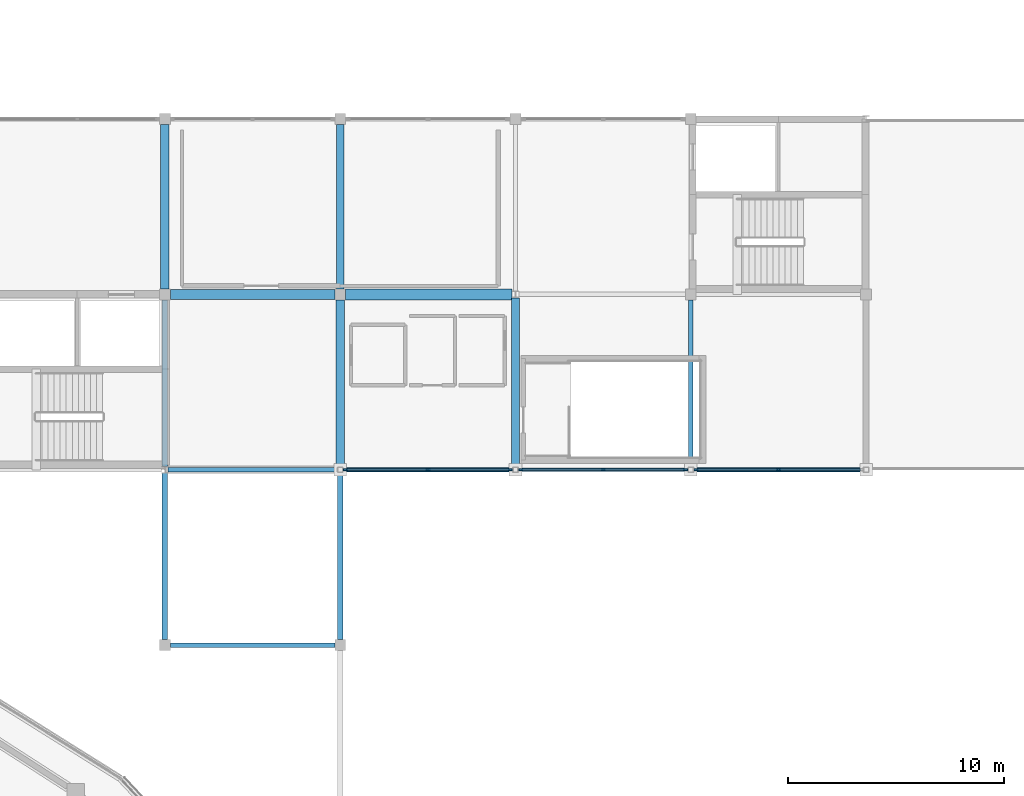
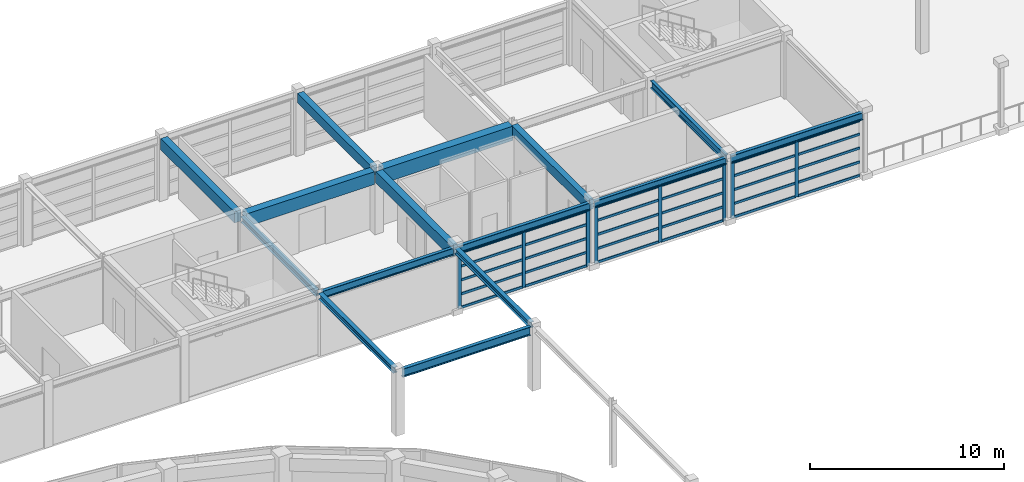
# One storey, part 30 of 54: 38 members, 15 beams, 3 elements without a shape of their own.
"""IFC4 building model written with IfcOpenShell, lengths in metres."""

from ifc_helpers import new_model, si_unit, direction, frame, origin, origin_2d, place, context, subcontext, project, spatial, rectangle, i_section, extrude, material, material_profile, profile_set, type_object, element, aggregate, save


model = new_model("IFC4")

# Units and contexts
model_context = context("Model", 3, precision=1e-05, world=origin(), true_north=direction((0.0, 1.0)))
body_context = subcontext(model_context, "Body", "Model", "MODEL_VIEW")
ifc_project = project(units=[si_unit("LENGTHUNIT", "METRE"), si_unit("AREAUNIT", "SQUARE_METRE"), si_unit("VOLUMEUNIT", "CUBIC_METRE"), si_unit("PLANEANGLEUNIT", "RADIAN"), si_unit("MASSUNIT", "GRAM", prefix="KILO")], contexts=[model_context])

# Site, building, storey
site_placement = place(None, origin())
site = spatial("IfcSite", under=ifc_project, at=site_placement, CompositionType="ELEMENT")
building_placement = place(site_placement, origin())
building = spatial("IfcBuilding", under=site, at=building_placement, Name="Parian Resonance Hall", CompositionType="ELEMENT")
storey_placement = place(building_placement, frame((0.0, 0.0, 15.0)))
storey = spatial("IfcBuildingStorey", under=building, at=storey_placement, Name="L03", CompositionType="ELEMENT", Elevation=15.0)

# Beams
ifc_material_1 = material(Name="Concrete C40/50", Category="concrete")
ifc_material_profile_1 = material_profile(ifc_material_1, rectangle(XDim=0.35009765625, YDim=0.60009765625, at=origin_2d()), Name="RC-BM-350x600")
ifc_profile_set_1 = profile_set([ifc_material_profile_1], Name="Concrete C40/50")
beam_type_1 = type_object("IfcBeamType", Name="BM-RC350x600", PredefinedType="BEAM", material=ifc_profile_set_1)
beam_1_placement = place(storey_placement, frame((72.89990234375, 81.25, 3.659912109375), z_axis=(0.0, 1.0, 0.0), x_axis=(-1.0, 0.0, 0.0)))
element("IfcBeam", 1, at=beam_1_placement, inside=storey, type_object=beam_type_1, Name="GY-L03-0884", PredefinedType="BEAM", context=body_context, shape_type="SweptSolid", body=[
    extrude(rectangle(XDim=0.35009765625, YDim=0.60009765625, at=origin_2d()), origin(), (0.0, 0.0, 1.0), 7.60009765625),
])
beam_2_placement = place(storey_placement, frame((81.0, 73.02490234375, 3.659912109375), z_axis=(0.0, 1.0, 0.0), x_axis=(-1.0, 0.0, 0.0)))
element("IfcBeam", 2, at=beam_2_placement, inside=storey, type_object=beam_type_1, Name="GY-L03-0885", PredefinedType="BEAM", context=body_context, shape_type="SweptSolid", body=[
    extrude(rectangle(XDim=0.35009765625, YDim=0.60009765625, at=origin_2d()), origin(), (0.0, 0.0, 1.0), 7.821044921875),
])
ifc_material_2 = material(Name="Concrete C40/50", Category="concrete")
ifc_material_profile_2 = material_profile(ifc_material_2, rectangle(XDim=0.39990234375, YDim=0.699951171875, at=origin_2d()), Name="RC-BM-400x700")
ifc_profile_set_2 = profile_set([ifc_material_profile_2], Name="Concrete C40/50")
beam_type_2 = type_object("IfcBeamType", Name="BM-RC400x700", PredefinedType="BEAM", material=ifc_profile_set_2)
beam_3_placement = place(storey_placement, frame((64.800048828125, 81.25, 3.610107421875), z_axis=(0.0, 1.0, 0.0), x_axis=(-1.0, 0.0, 0.0)))
element("IfcBeam", 3, at=beam_3_placement, inside=storey, type_object=beam_type_2, Name="GY-L03-0875", PredefinedType="BEAM", context=body_context, shape_type="SweptSolid", body=[
    extrude(rectangle(XDim=0.39990234375, YDim=0.699951171875, at=origin_2d()), origin(), (0.0, 0.0, 1.0), 7.60009765625),
])
beam_4_placement = place(storey_placement, frame((72.89990234375, 73.02490234375, 3.610107421875), z_axis=(0.0, 1.0, 0.0), x_axis=(-1.0, 0.0, 0.0)))
element("IfcBeam", 4, at=beam_4_placement, inside=storey, type_object=beam_type_2, Name="GY-L03-0883", PredefinedType="BEAM", context=body_context, shape_type="SweptSolid", body=[
    extrude(rectangle(XDim=0.39990234375, YDim=0.699951171875, at=origin_2d()), origin(), (0.0, 0.0, 1.0), 7.72509765625),
])
ifc_material_3 = material(Name="Concrete C40/50", Category="concrete")
ifc_material_profile_3 = material_profile(ifc_material_3, rectangle(XDim=0.449951171875, YDim=0.800048828125, at=origin_2d()), Name="RC-BM-450x800")
ifc_profile_set_3 = profile_set([ifc_material_profile_3], Name="Concrete C40/50")
beam_type_3 = type_object("IfcBeamType", Name="BM-RC450x800", PredefinedType="USERDEFINED", material=ifc_profile_set_3)
beam_5_placement = place(storey_placement, frame((65.050048828125, 81.0, 3.56005859375), z_axis=(1.0, 0.0, 0.0), x_axis=(0.0, 1.0, 0.0)))
element("IfcBeam", 5, at=beam_5_placement, inside=storey, type_object=beam_type_3, Name="GX-L03-0829", ObjectType="GIRDER", PredefinedType="USERDEFINED", context=body_context, shape_type="SweptSolid", body=[
    extrude(rectangle(XDim=0.449951171875, YDim=0.800048828125, at=origin_2d()), origin(), (0.0, 0.0, 1.0), 7.599853515625),
])
ifc_material_4 = material(Name="Concrete C40/50", Category="concrete")
ifc_material_profile_4 = material_profile(ifc_material_4, rectangle(XDim=0.5, YDim=0.89990234375, at=origin_2d()), Name="RC-BM-500x900")
ifc_profile_set_4 = profile_set([ifc_material_profile_4], Name="Concrete C40/50")
beam_type_4 = type_object("IfcBeamType", Name="BM-RC500x900", PredefinedType="USERDEFINED", material=ifc_profile_set_4)
beam_6_placement = place(storey_placement, frame((73.14990234375, 81.0, 3.510009765625), z_axis=(1.0, 0.0, 0.0), x_axis=(0.0, 1.0, 0.0)))
element("IfcBeam", 6, at=beam_6_placement, inside=storey, type_object=beam_type_4, Name="GX-L03-0832", ObjectType="GIRDER", PredefinedType="USERDEFINED", context=body_context, shape_type="SweptSolid", body=[
    extrude(rectangle(XDim=0.5, YDim=0.89990234375, at=origin_2d()), origin(), (0.0, 0.0, 1.0), 7.697509765625),
])
ifc_material_5 = material(Name="Steel S355", Category="steel")
ifc_material_profile_5 = material_profile(ifc_material_5, i_section(OverallWidth=0.2548828125, OverallDepth=0.35693359375, WebThickness=0.010498046875, FlangeThickness=0.018310546875, FilletRadius=0.01513671875, at=origin_2d()), Name="W360x101")
ifc_profile_set_5 = profile_set([ifc_material_profile_5], Name="Steel S355")
beam_type_5 = type_object("IfcBeamType", Name="BM-W360x101", PredefinedType="SPANDREL", material=ifc_profile_set_5)
for number, where, z_axis, x_axis, name in (
    (7, (64.800048828125, 65.050048828125, 3.79150390625), (0.0, 1.0, 0.0), (-1.0, 0.0, 0.0), "GY-L03-0873"),
    (8, (64.800048828125, 73.053955078125, 3.781494140625), (0.0, 1.0, 0.0), (-1.0, 0.0, 0.0), "GY-L03-0874"),
):
    element("IfcBeam", number, at=place(storey_placement, frame(where, z_axis=z_axis, x_axis=x_axis)), inside=storey, type_object=beam_type_5, Name=name, PredefinedType="SPANDREL", context=body_context, shape_type="SweptSolid", body=[
        extrude(i_section(OverallWidth=0.2548828125, OverallDepth=0.35693359375, WebThickness=0.010498046875, FlangeThickness=0.018310546875, FilletRadius=0.01513671875, at=origin_2d()), origin(), (0.0, 0.0, 1.0), 7.696044921875),
    ])
beam_7_placement = place(storey_placement, frame((72.89990234375, 65.050048828125, 3.79150390625), z_axis=(0.0, 1.0, 0.0), x_axis=(-1.0, 0.0, 0.0)))
element("IfcBeam", 9, at=beam_7_placement, inside=storey, type_object=beam_type_5, Name="GY-L03-0882", PredefinedType="SPANDREL", context=body_context, shape_type="SweptSolid", body=[
    extrude(i_section(OverallWidth=0.2548828125, OverallDepth=0.35693359375, WebThickness=0.010498046875, FlangeThickness=0.018310546875, FilletRadius=0.01513671875, at=origin_2d()), origin(), (0.0, 0.0, 1.0), 7.724853515625),
])
ifc_material_6 = material(Name="Steel S355", Category="steel")
ifc_material_profile_6 = material_profile(ifc_material_6, i_section(OverallWidth=0.180908203125, OverallDepth=0.4169921875, WebThickness=0.010986328125, FlangeThickness=0.018310546875, FilletRadius=0.01513671875, at=origin_2d()), Name="W410x85")
ifc_profile_set_6 = profile_set([ifc_material_profile_6], Name="Steel S355")
beam_type_6 = type_object("IfcBeamType", Name="BM-W410x85", PredefinedType="SPANDREL", material=ifc_profile_set_6)
beam_8_placement = place(storey_placement, frame((81.125, 72.89990234375, 3.75146484375), z_axis=(1.0, 0.0, 0.0), x_axis=(0.0, 1.0, 0.0)))
element("IfcBeam", 10, at=beam_8_placement, inside=storey, type_object=beam_type_6, Name="GX-L03-0834", PredefinedType="SPANDREL", context=body_context, shape_type="SweptSolid", body=[
    extrude(i_section(OverallWidth=0.180908203125, OverallDepth=0.4169921875, WebThickness=0.010986328125, FlangeThickness=0.018310546875, FilletRadius=0.01513671875, at=origin_2d()), origin(), (0.0, 0.0, 1.0), 7.85009765625),
])
ifc_material_7 = material(Name="Steel S355", Category="steel")
ifc_material_profile_7 = material_profile(ifc_material_7, i_section(OverallWidth=0.194091796875, OverallDepth=0.468994140625, WebThickness=0.0126953125, FlangeThickness=0.0205078125, FilletRadius=0.01513671875, at=origin_2d()), Name="W460x106")
ifc_profile_set_7 = profile_set([ifc_material_profile_7], Name="Steel S355")
beam_type_7 = type_object("IfcBeamType", Name="BM-W460x106", PredefinedType="SPANDREL", material=ifc_profile_set_7)
beam_9_placement = place(storey_placement, frame((73.02490234375, 72.89990234375, 3.7255859375), z_axis=(1.0, 0.0, 0.0), x_axis=(0.0, 1.0, 0.0)))
element("IfcBeam", 11, at=beam_9_placement, inside=storey, type_object=beam_type_7, Name="GX-L03-0831", PredefinedType="SPANDREL", context=body_context, shape_type="SweptSolid", body=[
    extrude(i_section(OverallWidth=0.194091796875, OverallDepth=0.468994140625, WebThickness=0.0126953125, FlangeThickness=0.0205078125, FilletRadius=0.01513671875, at=origin_2d()), origin(), (0.0, 0.0, 1.0), 7.85009765625),
])
beam_10_placement = place(storey_placement, frame((89.22509765625, 72.89990234375, 3.7255859375), z_axis=(1.0, 0.0, 0.0), x_axis=(0.0, 1.0, 0.0)))
element("IfcBeam", 12, at=beam_10_placement, inside=storey, type_object=beam_type_7, Name="GX-L03-0837", PredefinedType="SPANDREL", context=body_context, shape_type="SweptSolid", body=[
    extrude(i_section(OverallWidth=0.194091796875, OverallDepth=0.468994140625, WebThickness=0.0126953125, FlangeThickness=0.0205078125, FilletRadius=0.01513671875, at=origin_2d()), origin(), (0.0, 0.0, 1.0), 7.849853515625),
])
beam_11_placement = place(storey_placement, frame((89.10009765625, 73.02490234375, 3.7255859375), z_axis=(0.0, 1.0, 0.0), x_axis=(-1.0, 0.0, 0.0)))
element("IfcBeam", 13, at=beam_11_placement, inside=storey, type_object=beam_type_7, Name="GY-L03-0887", PredefinedType="SPANDREL", context=body_context, shape_type="SweptSolid", body=[
    extrude(i_section(OverallWidth=0.194091796875, OverallDepth=0.468994140625, WebThickness=0.0126953125, FlangeThickness=0.0205078125, FilletRadius=0.01513671875, at=origin_2d()), origin(), (0.0, 0.0, 1.0), 7.72509765625),
])
ifc_material_8 = material(Name="Steel S355", Category="steel")
ifc_material_profile_8 = material_profile(ifc_material_8, i_section(OverallWidth=0.19091796875, OverallDepth=0.4599609375, WebThickness=0.010009765625, FlangeThickness=0.01611328125, FilletRadius=0.01513671875, at=origin_2d()), Name="W460x82")
ifc_profile_set_8 = profile_set([ifc_material_profile_8], Name="Steel S355")
beam_type_8 = type_object("IfcBeamType", Name="BM-W460x82", PredefinedType="BEAM", material=ifc_profile_set_8)
beam_12_placement = place(storey_placement, frame((64.952392578125, 72.89990234375, 3.72998046875), z_axis=(1.0, 0.0, 0.0), x_axis=(0.0, 1.0, 0.0)))
element("IfcBeam", 14, at=beam_12_placement, inside=storey, type_object=beam_type_8, Name="GX-L03-0828", PredefinedType="BEAM", context=body_context, shape_type="SweptSolid", body=[
    extrude(i_section(OverallWidth=0.19091796875, OverallDepth=0.4599609375, WebThickness=0.010009765625, FlangeThickness=0.01611328125, FilletRadius=0.01513671875, at=origin_2d()), origin(), (0.0, 0.0, 1.0), 7.822509765625),
])
ifc_material_9 = material(Name="Steel S355", Category="steel")
ifc_material_profile_9 = material_profile(ifc_material_9, i_section(OverallWidth=0.208984375, OverallDepth=0.532958984375, WebThickness=0.01025390625, FlangeThickness=0.015625, FilletRadius=0.017822265625, at=origin_2d()), Name="W530x92")
ifc_profile_set_9 = profile_set([ifc_material_profile_9], Name="Steel S355")
beam_type_9 = type_object("IfcBeamType", Name="BM-W530x92", PredefinedType="BEAM", material=ifc_profile_set_9)
beam_13_placement = place(storey_placement, frame((65.050048828125, 64.800048828125, 3.70361328125), z_axis=(1.0, 0.0, 0.0), x_axis=(0.0, 1.0, 0.0)))
element("IfcBeam", 15, at=beam_13_placement, inside=storey, type_object=beam_type_9, Name="GX-L03-0827", PredefinedType="BEAM", context=body_context, shape_type="SweptSolid", body=[
    extrude(i_section(OverallWidth=0.208984375, OverallDepth=0.532958984375, WebThickness=0.01025390625, FlangeThickness=0.015625, FilletRadius=0.017822265625, at=origin_2d()), origin(), (0.0, 0.0, 1.0), 7.599853515625),
])

# Curtain wall, members
ifc_material_10 = material(Name="Bronze-anodised aluminium frame", Category="aluminium")
curtain_wall_type_1 = type_object("IfcCurtainWallType", Name="CW-SYS-06", PredefinedType="NOTDEFINED", material=ifc_material_10)
curtain_wall_1_placement = place(storey_placement, origin())
curtain_wall_1 = element("IfcCurtainWall", 16, at=curtain_wall_1_placement, inside=storey, type_object=curtain_wall_type_1, Name="Curtain wall CW-L03-108", PredefinedType="NOTDEFINED")
ifc_material_11 = material(Name="Bronze-anodised aluminium frame", Category="aluminium")
ifc_material_profile_10 = material_profile(ifc_material_11, rectangle(XDim=0.074951171875, YDim=0.199951171875, at=origin_2d()), Name="CWM-75x200")
ifc_profile_set_10 = profile_set([ifc_material_profile_10], Name="Bronze-anodised aluminium frame")
member_type_1 = type_object("IfcMemberType", Name="CWM-75x200", PredefinedType="MULLION", material=ifc_profile_set_10)
member_1_placement = place(storey_placement, frame((80.757568359375, 72.89990234375, -0.008056640625), z_axis=(0.0, 0.0, 1.0), x_axis=(0.0, -1.0, 0.0)))
member_1 = element("IfcMember", 17, at=member_1_placement, type_object=member_type_1, Name="CW-06 mullion 1", PredefinedType="MULLION", context=body_context, shape_type="SweptSolid", body=[
    extrude(rectangle(XDim=0.074951171875, YDim=0.199951171875, at=origin_2d()), origin(), (0.0, 0.0, 1.0), 3.503173828125),
])
member_2_placement = place(storey_placement, frame((76.949951171875, 72.89990234375, -0.008056640625), z_axis=(0.0, 0.0, 1.0), x_axis=(0.0, -1.0, 0.0)))
member_2 = element("IfcMember", 18, at=member_2_placement, type_object=member_type_1, Name="CW-06 mullion 2", PredefinedType="MULLION", context=body_context, shape_type="SweptSolid", body=[
    extrude(rectangle(XDim=0.074951171875, YDim=0.199951171875, at=origin_2d()), origin(), (0.0, 0.0, 1.0), 3.503173828125),
])
member_3_placement = place(storey_placement, frame((73.142578125, 72.89990234375, -0.008056640625), z_axis=(0.0, 0.0, 1.0), x_axis=(0.0, -1.0, 0.0)))
member_3 = element("IfcMember", 19, at=member_3_placement, type_object=member_type_1, Name="CW-06 mullion 3", PredefinedType="MULLION", context=body_context, shape_type="SweptSolid", body=[
    extrude(rectangle(XDim=0.074951171875, YDim=0.199951171875, at=origin_2d()), origin(), (0.0, 0.0, 1.0), 3.503173828125),
])

ifc_material_12 = material(Name="Bronze-anodised aluminium frame", Category="aluminium")
curtain_wall_type_2 = type_object("IfcCurtainWallType", Name="CW-SYS-01", PredefinedType="NOTDEFINED", material=ifc_material_12)
curtain_wall_2_placement = place(storey_placement, origin())
curtain_wall_2 = element("IfcCurtainWall", 20, at=curtain_wall_2_placement, inside=storey, type_object=curtain_wall_type_2, Name="Curtain wall CW-L03-114", PredefinedType="NOTDEFINED")
member_4_placement = place(storey_placement, frame((88.857421875, 72.89990234375, -0.008056640625), z_axis=(0.0, 0.0, 1.0), x_axis=(0.0, -1.0, 0.0)))
member_4 = element("IfcMember", 21, at=member_4_placement, type_object=member_type_1, Name="CW-01 mullion 1", PredefinedType="MULLION", context=body_context, shape_type="SweptSolid", body=[
    extrude(rectangle(XDim=0.074951171875, YDim=0.199951171875, at=origin_2d()), origin(), (0.0, 0.0, 1.0), 3.55517578125),
])
member_5_placement = place(storey_placement, frame((85.050048828125, 72.89990234375, -0.008056640625), z_axis=(0.0, 0.0, 1.0), x_axis=(0.0, -1.0, 0.0)))
member_5 = element("IfcMember", 22, at=member_5_placement, type_object=member_type_1, Name="CW-01 mullion 2", PredefinedType="MULLION", context=body_context, shape_type="SweptSolid", body=[
    extrude(rectangle(XDim=0.074951171875, YDim=0.199951171875, at=origin_2d()), origin(), (0.0, 0.0, 1.0), 3.55517578125),
])
member_6_placement = place(storey_placement, frame((81.242431640625, 72.89990234375, -0.008056640625), z_axis=(0.0, 0.0, 1.0), x_axis=(0.0, -1.0, 0.0)))
member_6 = element("IfcMember", 23, at=member_6_placement, type_object=member_type_1, Name="CW-01 mullion 3", PredefinedType="MULLION", context=body_context, shape_type="SweptSolid", body=[
    extrude(rectangle(XDim=0.074951171875, YDim=0.199951171875, at=origin_2d()), origin(), (0.0, 0.0, 1.0), 3.55517578125),
])

ifc_material_13 = material(Name="Bronze-anodised aluminium frame", Category="aluminium")
curtain_wall_type_3 = type_object("IfcCurtainWallType", Name="CW-SYS-02", PredefinedType="NOTDEFINED", material=ifc_material_13)
curtain_wall_3_placement = place(storey_placement, origin())
curtain_wall_3 = element("IfcCurtainWall", 24, at=curtain_wall_3_placement, inside=storey, type_object=curtain_wall_type_3, Name="Curtain wall CW-L03-120", PredefinedType="NOTDEFINED")
member_7_placement = place(storey_placement, frame((93.14990234375, 72.89990234375, -0.008056640625), z_axis=(0.0, 0.0, 1.0), x_axis=(0.0, -1.0, 0.0)))
member_7 = element("IfcMember", 25, at=member_7_placement, type_object=member_type_1, Name="CW-02 mullion 2", PredefinedType="MULLION", context=body_context, shape_type="SweptSolid", body=[
    extrude(rectangle(XDim=0.074951171875, YDim=0.199951171875, at=origin_2d()), origin(), (0.0, 0.0, 1.0), 3.503173828125),
])
member_8_placement = place(storey_placement, frame((89.342529296875, 72.89990234375, -0.008056640625), z_axis=(0.0, 0.0, 1.0), x_axis=(0.0, -1.0, 0.0)))
member_8 = element("IfcMember", 26, at=member_8_placement, type_object=member_type_1, Name="CW-02 mullion 3", PredefinedType="MULLION", context=body_context, shape_type="SweptSolid", body=[
    extrude(rectangle(XDim=0.074951171875, YDim=0.199951171875, at=origin_2d()), origin(), (0.0, 0.0, 1.0), 3.503173828125),
])

# Member
ifc_material_14 = material(Name="Bronze-anodised aluminium frame", Category="aluminium")
ifc_material_profile_11 = material_profile(ifc_material_14, rectangle(XDim=0.074951171875, YDim=0.14990234375, at=origin_2d()), Name="CWT-75x150")
ifc_profile_set_11 = profile_set([ifc_material_profile_11], Name="Bronze-anodised aluminium frame")
member_type_2 = type_object("IfcMemberType", Name="CWT-75x150", PredefinedType="USERDEFINED", material=ifc_profile_set_11)
member_9_placement = place(storey_placement, frame((80.719970703125, 72.89990234375, 0.029541015625), z_axis=(-1.0, 0.0, 0.0), x_axis=(0.0, -1.0, 0.0)))
member_9 = element("IfcMember", 27, at=member_9_placement, type_object=member_type_2, Name="CW-06 transom 1.1", ObjectType="TRANSOM", PredefinedType="USERDEFINED", context=body_context, shape_type="SweptSolid", body=[
    extrude(rectangle(XDim=0.074951171875, YDim=0.14990234375, at=origin_2d()), origin(), (0.0, 0.0, 1.0), 3.732421875),
])

member_10_placement = place(storey_placement, frame((80.719970703125, 72.89990234375, 0.87109375), z_axis=(-1.0, 0.0, 0.0), x_axis=(0.0, -1.0, 0.0)))
member_10 = element("IfcMember", 28, at=member_10_placement, type_object=member_type_2, Name="CW-06 transom 1.2", ObjectType="TRANSOM", PredefinedType="USERDEFINED", context=body_context, shape_type="SweptSolid", body=[
    extrude(rectangle(XDim=0.074951171875, YDim=0.14990234375, at=origin_2d()), origin(), (0.0, 0.0, 1.0), 3.732421875),
])

member_11_placement = place(storey_placement, frame((80.719970703125, 72.89990234375, 1.742431640625), z_axis=(-1.0, 0.0, 0.0), x_axis=(0.0, -1.0, 0.0)))
member_11 = element("IfcMember", 29, at=member_11_placement, type_object=member_type_2, Name="CW-06 transom 1.3", ObjectType="TRANSOM", PredefinedType="USERDEFINED", context=body_context, shape_type="SweptSolid", body=[
    extrude(rectangle(XDim=0.074951171875, YDim=0.14990234375, at=origin_2d()), origin(), (0.0, 0.0, 1.0), 3.732421875),
])

member_12_placement = place(storey_placement, frame((80.719970703125, 72.89990234375, 2.61376953125), z_axis=(-1.0, 0.0, 0.0), x_axis=(0.0, -1.0, 0.0)))
member_12 = element("IfcMember", 30, at=member_12_placement, type_object=member_type_2, Name="CW-06 transom 1.4", ObjectType="TRANSOM", PredefinedType="USERDEFINED", context=body_context, shape_type="SweptSolid", body=[
    extrude(rectangle(XDim=0.074951171875, YDim=0.14990234375, at=origin_2d()), origin(), (0.0, 0.0, 1.0), 3.732421875),
])

member_13_placement = place(storey_placement, frame((80.719970703125, 72.89990234375, 3.45751953125), z_axis=(-1.0, 0.0, 0.0), x_axis=(0.0, -1.0, 0.0)))
member_13 = element("IfcMember", 31, at=member_13_placement, type_object=member_type_2, Name="CW-06 transom 1.5", ObjectType="TRANSOM", PredefinedType="USERDEFINED", context=body_context, shape_type="SweptSolid", body=[
    extrude(rectangle(XDim=0.074951171875, YDim=0.14990234375, at=origin_2d()), origin(), (0.0, 0.0, 1.0), 3.732421875),
])

member_14_placement = place(storey_placement, frame((76.91259765625, 72.89990234375, 0.029541015625), z_axis=(-1.0, 0.0, 0.0), x_axis=(0.0, -1.0, 0.0)))
member_14 = element("IfcMember", 32, at=member_14_placement, type_object=member_type_2, Name="CW-06 transom 2.1", ObjectType="TRANSOM", PredefinedType="USERDEFINED", context=body_context, shape_type="SweptSolid", body=[
    extrude(rectangle(XDim=0.074951171875, YDim=0.14990234375, at=origin_2d()), origin(), (0.0, 0.0, 1.0), 3.732666015625),
])

member_15_placement = place(storey_placement, frame((76.91259765625, 72.89990234375, 0.87109375), z_axis=(-1.0, 0.0, 0.0), x_axis=(0.0, -1.0, 0.0)))
member_15 = element("IfcMember", 33, at=member_15_placement, type_object=member_type_2, Name="CW-06 transom 2.2", ObjectType="TRANSOM", PredefinedType="USERDEFINED", context=body_context, shape_type="SweptSolid", body=[
    extrude(rectangle(XDim=0.074951171875, YDim=0.14990234375, at=origin_2d()), origin(), (0.0, 0.0, 1.0), 3.732666015625),
])

member_16_placement = place(storey_placement, frame((76.91259765625, 72.89990234375, 1.742431640625), z_axis=(-1.0, 0.0, 0.0), x_axis=(0.0, -1.0, 0.0)))
member_16 = element("IfcMember", 34, at=member_16_placement, type_object=member_type_2, Name="CW-06 transom 2.3", ObjectType="TRANSOM", PredefinedType="USERDEFINED", context=body_context, shape_type="SweptSolid", body=[
    extrude(rectangle(XDim=0.074951171875, YDim=0.14990234375, at=origin_2d()), origin(), (0.0, 0.0, 1.0), 3.732666015625),
])

member_17_placement = place(storey_placement, frame((76.91259765625, 72.89990234375, 2.61376953125), z_axis=(-1.0, 0.0, 0.0), x_axis=(0.0, -1.0, 0.0)))
member_17 = element("IfcMember", 35, at=member_17_placement, type_object=member_type_2, Name="CW-06 transom 2.4", ObjectType="TRANSOM", PredefinedType="USERDEFINED", context=body_context, shape_type="SweptSolid", body=[
    extrude(rectangle(XDim=0.074951171875, YDim=0.14990234375, at=origin_2d()), origin(), (0.0, 0.0, 1.0), 3.732666015625),
])

member_18_placement = place(storey_placement, frame((76.91259765625, 72.89990234375, 3.45751953125), z_axis=(-1.0, 0.0, 0.0), x_axis=(0.0, -1.0, 0.0)))
member_18 = element("IfcMember", 36, at=member_18_placement, type_object=member_type_2, Name="CW-06 transom 2.5", ObjectType="TRANSOM", PredefinedType="USERDEFINED", context=body_context, shape_type="SweptSolid", body=[
    extrude(rectangle(XDim=0.074951171875, YDim=0.14990234375, at=origin_2d()), origin(), (0.0, 0.0, 1.0), 3.732666015625),
])

aggregate(curtain_wall_1, [member_1, member_2, member_3, member_9, member_10, member_11, member_12, member_13, member_14, member_15, member_16, member_17, member_18])

member_19_placement = place(storey_placement, frame((88.820068359375, 72.89990234375, 0.029541015625), z_axis=(-1.0, 0.0, 0.0), x_axis=(0.0, -1.0, 0.0)))
member_19 = element("IfcMember", 37, at=member_19_placement, type_object=member_type_2, Name="CW-01 transom 1.1", ObjectType="TRANSOM", PredefinedType="USERDEFINED", context=body_context, shape_type="SweptSolid", body=[
    extrude(rectangle(XDim=0.074951171875, YDim=0.14990234375, at=origin_2d()), origin(), (0.0, 0.0, 1.0), 3.732666015625),
])

member_20_placement = place(storey_placement, frame((88.820068359375, 72.89990234375, 0.88427734375), z_axis=(-1.0, 0.0, 0.0), x_axis=(0.0, -1.0, 0.0)))
member_20 = element("IfcMember", 38, at=member_20_placement, type_object=member_type_2, Name="CW-01 transom 1.2", ObjectType="TRANSOM", PredefinedType="USERDEFINED", context=body_context, shape_type="SweptSolid", body=[
    extrude(rectangle(XDim=0.074951171875, YDim=0.14990234375, at=origin_2d()), origin(), (0.0, 0.0, 1.0), 3.732666015625),
])

member_21_placement = place(storey_placement, frame((88.820068359375, 72.89990234375, 1.7685546875), z_axis=(-1.0, 0.0, 0.0), x_axis=(0.0, -1.0, 0.0)))
member_21 = element("IfcMember", 39, at=member_21_placement, type_object=member_type_2, Name="CW-01 transom 1.3", ObjectType="TRANSOM", PredefinedType="USERDEFINED", context=body_context, shape_type="SweptSolid", body=[
    extrude(rectangle(XDim=0.074951171875, YDim=0.14990234375, at=origin_2d()), origin(), (0.0, 0.0, 1.0), 3.732666015625),
])

member_22_placement = place(storey_placement, frame((88.820068359375, 72.89990234375, 2.652587890625), z_axis=(-1.0, 0.0, 0.0), x_axis=(0.0, -1.0, 0.0)))
member_22 = element("IfcMember", 40, at=member_22_placement, type_object=member_type_2, Name="CW-01 transom 1.4", ObjectType="TRANSOM", PredefinedType="USERDEFINED", context=body_context, shape_type="SweptSolid", body=[
    extrude(rectangle(XDim=0.074951171875, YDim=0.14990234375, at=origin_2d()), origin(), (0.0, 0.0, 1.0), 3.732666015625),
])

member_23_placement = place(storey_placement, frame((88.820068359375, 72.89990234375, 3.509521484375), z_axis=(-1.0, 0.0, 0.0), x_axis=(0.0, -1.0, 0.0)))
member_23 = element("IfcMember", 41, at=member_23_placement, type_object=member_type_2, Name="CW-01 transom 1.5", ObjectType="TRANSOM", PredefinedType="USERDEFINED", context=body_context, shape_type="SweptSolid", body=[
    extrude(rectangle(XDim=0.074951171875, YDim=0.14990234375, at=origin_2d()), origin(), (0.0, 0.0, 1.0), 3.732666015625),
])

member_24_placement = place(storey_placement, frame((85.012451171875, 72.89990234375, 0.029541015625), z_axis=(-1.0, 0.0, 0.0), x_axis=(0.0, -1.0, 0.0)))
member_24 = element("IfcMember", 42, at=member_24_placement, type_object=member_type_2, Name="CW-01 transom 2.1", ObjectType="TRANSOM", PredefinedType="USERDEFINED", context=body_context, shape_type="SweptSolid", body=[
    extrude(rectangle(XDim=0.074951171875, YDim=0.14990234375, at=origin_2d()), origin(), (0.0, 0.0, 1.0), 3.732421875),
])

member_25_placement = place(storey_placement, frame((85.012451171875, 72.89990234375, 0.88427734375), z_axis=(-1.0, 0.0, 0.0), x_axis=(0.0, -1.0, 0.0)))
member_25 = element("IfcMember", 43, at=member_25_placement, type_object=member_type_2, Name="CW-01 transom 2.2", ObjectType="TRANSOM", PredefinedType="USERDEFINED", context=body_context, shape_type="SweptSolid", body=[
    extrude(rectangle(XDim=0.074951171875, YDim=0.14990234375, at=origin_2d()), origin(), (0.0, 0.0, 1.0), 3.732421875),
])

member_26_placement = place(storey_placement, frame((85.012451171875, 72.89990234375, 1.7685546875), z_axis=(-1.0, 0.0, 0.0), x_axis=(0.0, -1.0, 0.0)))
member_26 = element("IfcMember", 44, at=member_26_placement, type_object=member_type_2, Name="CW-01 transom 2.3", ObjectType="TRANSOM", PredefinedType="USERDEFINED", context=body_context, shape_type="SweptSolid", body=[
    extrude(rectangle(XDim=0.074951171875, YDim=0.14990234375, at=origin_2d()), origin(), (0.0, 0.0, 1.0), 3.732421875),
])

member_27_placement = place(storey_placement, frame((85.012451171875, 72.89990234375, 2.652587890625), z_axis=(-1.0, 0.0, 0.0), x_axis=(0.0, -1.0, 0.0)))
member_27 = element("IfcMember", 45, at=member_27_placement, type_object=member_type_2, Name="CW-01 transom 2.4", ObjectType="TRANSOM", PredefinedType="USERDEFINED", context=body_context, shape_type="SweptSolid", body=[
    extrude(rectangle(XDim=0.074951171875, YDim=0.14990234375, at=origin_2d()), origin(), (0.0, 0.0, 1.0), 3.732421875),
])

member_28_placement = place(storey_placement, frame((85.012451171875, 72.89990234375, 3.509521484375), z_axis=(-1.0, 0.0, 0.0), x_axis=(0.0, -1.0, 0.0)))
member_28 = element("IfcMember", 46, at=member_28_placement, type_object=member_type_2, Name="CW-01 transom 2.5", ObjectType="TRANSOM", PredefinedType="USERDEFINED", context=body_context, shape_type="SweptSolid", body=[
    extrude(rectangle(XDim=0.074951171875, YDim=0.14990234375, at=origin_2d()), origin(), (0.0, 0.0, 1.0), 3.732421875),
])

aggregate(curtain_wall_2, [member_4, member_5, member_6, member_19, member_20, member_21, member_22, member_23, member_24, member_25, member_26, member_27, member_28])

member_29_placement = place(storey_placement, frame((96.919921875, 72.89990234375, 0.029541015625), z_axis=(-1.0, 0.0, 0.0), x_axis=(0.0, -1.0, 0.0)))
member_29 = element("IfcMember", 47, at=member_29_placement, type_object=member_type_2, Name="CW-02 transom 1.1", ObjectType="TRANSOM", PredefinedType="USERDEFINED", context=body_context, shape_type="SweptSolid", body=[
    extrude(rectangle(XDim=0.074951171875, YDim=0.14990234375, at=origin_2d()), origin(), (0.0, 0.0, 1.0), 3.732421875),
])

member_30_placement = place(storey_placement, frame((96.919921875, 72.89990234375, 0.87109375), z_axis=(-1.0, 0.0, 0.0), x_axis=(0.0, -1.0, 0.0)))
member_30 = element("IfcMember", 48, at=member_30_placement, type_object=member_type_2, Name="CW-02 transom 1.2", ObjectType="TRANSOM", PredefinedType="USERDEFINED", context=body_context, shape_type="SweptSolid", body=[
    extrude(rectangle(XDim=0.074951171875, YDim=0.14990234375, at=origin_2d()), origin(), (0.0, 0.0, 1.0), 3.732421875),
])

member_31_placement = place(storey_placement, frame((96.919921875, 72.89990234375, 1.742431640625), z_axis=(-1.0, 0.0, 0.0), x_axis=(0.0, -1.0, 0.0)))
member_31 = element("IfcMember", 49, at=member_31_placement, type_object=member_type_2, Name="CW-02 transom 1.3", ObjectType="TRANSOM", PredefinedType="USERDEFINED", context=body_context, shape_type="SweptSolid", body=[
    extrude(rectangle(XDim=0.074951171875, YDim=0.14990234375, at=origin_2d()), origin(), (0.0, 0.0, 1.0), 3.732421875),
])

member_32_placement = place(storey_placement, frame((96.919921875, 72.89990234375, 2.61376953125), z_axis=(-1.0, 0.0, 0.0), x_axis=(0.0, -1.0, 0.0)))
member_32 = element("IfcMember", 50, at=member_32_placement, type_object=member_type_2, Name="CW-02 transom 1.4", ObjectType="TRANSOM", PredefinedType="USERDEFINED", context=body_context, shape_type="SweptSolid", body=[
    extrude(rectangle(XDim=0.074951171875, YDim=0.14990234375, at=origin_2d()), origin(), (0.0, 0.0, 1.0), 3.732421875),
])

member_33_placement = place(storey_placement, frame((96.919921875, 72.89990234375, 3.45751953125), z_axis=(-1.0, 0.0, 0.0), x_axis=(0.0, -1.0, 0.0)))
member_33 = element("IfcMember", 51, at=member_33_placement, type_object=member_type_2, Name="CW-02 transom 1.5", ObjectType="TRANSOM", PredefinedType="USERDEFINED", context=body_context, shape_type="SweptSolid", body=[
    extrude(rectangle(XDim=0.074951171875, YDim=0.14990234375, at=origin_2d()), origin(), (0.0, 0.0, 1.0), 3.732421875),
])

member_34_placement = place(storey_placement, frame((93.112548828125, 72.89990234375, 0.029541015625), z_axis=(-1.0, 0.0, 0.0), x_axis=(0.0, -1.0, 0.0)))
member_34 = element("IfcMember", 52, at=member_34_placement, type_object=member_type_2, Name="CW-02 transom 2.1", ObjectType="TRANSOM", PredefinedType="USERDEFINED", context=body_context, shape_type="SweptSolid", body=[
    extrude(rectangle(XDim=0.074951171875, YDim=0.14990234375, at=origin_2d()), origin(), (0.0, 0.0, 1.0), 3.732666015625),
])

member_35_placement = place(storey_placement, frame((93.112548828125, 72.89990234375, 0.87109375), z_axis=(-1.0, 0.0, 0.0), x_axis=(0.0, -1.0, 0.0)))
member_35 = element("IfcMember", 53, at=member_35_placement, type_object=member_type_2, Name="CW-02 transom 2.2", ObjectType="TRANSOM", PredefinedType="USERDEFINED", context=body_context, shape_type="SweptSolid", body=[
    extrude(rectangle(XDim=0.074951171875, YDim=0.14990234375, at=origin_2d()), origin(), (0.0, 0.0, 1.0), 3.732666015625),
])

member_36_placement = place(storey_placement, frame((93.112548828125, 72.89990234375, 1.742431640625), z_axis=(-1.0, 0.0, 0.0), x_axis=(0.0, -1.0, 0.0)))
member_36 = element("IfcMember", 54, at=member_36_placement, type_object=member_type_2, Name="CW-02 transom 2.3", ObjectType="TRANSOM", PredefinedType="USERDEFINED", context=body_context, shape_type="SweptSolid", body=[
    extrude(rectangle(XDim=0.074951171875, YDim=0.14990234375, at=origin_2d()), origin(), (0.0, 0.0, 1.0), 3.732666015625),
])

member_37_placement = place(storey_placement, frame((93.112548828125, 72.89990234375, 2.61376953125), z_axis=(-1.0, 0.0, 0.0), x_axis=(0.0, -1.0, 0.0)))
member_37 = element("IfcMember", 55, at=member_37_placement, type_object=member_type_2, Name="CW-02 transom 2.4", ObjectType="TRANSOM", PredefinedType="USERDEFINED", context=body_context, shape_type="SweptSolid", body=[
    extrude(rectangle(XDim=0.074951171875, YDim=0.14990234375, at=origin_2d()), origin(), (0.0, 0.0, 1.0), 3.732666015625),
])

member_38_placement = place(storey_placement, frame((93.112548828125, 72.89990234375, 3.45751953125), z_axis=(-1.0, 0.0, 0.0), x_axis=(0.0, -1.0, 0.0)))
member_38 = element("IfcMember", 56, at=member_38_placement, type_object=member_type_2, Name="CW-02 transom 2.5", ObjectType="TRANSOM", PredefinedType="USERDEFINED", context=body_context, shape_type="SweptSolid", body=[
    extrude(rectangle(XDim=0.074951171875, YDim=0.14990234375, at=origin_2d()), origin(), (0.0, 0.0, 1.0), 3.732666015625),
])

aggregate(curtain_wall_3, [member_7, member_8, member_29, member_30, member_31, member_32, member_33, member_34, member_35, member_36, member_37, member_38])

save(model, "model.ifc")
